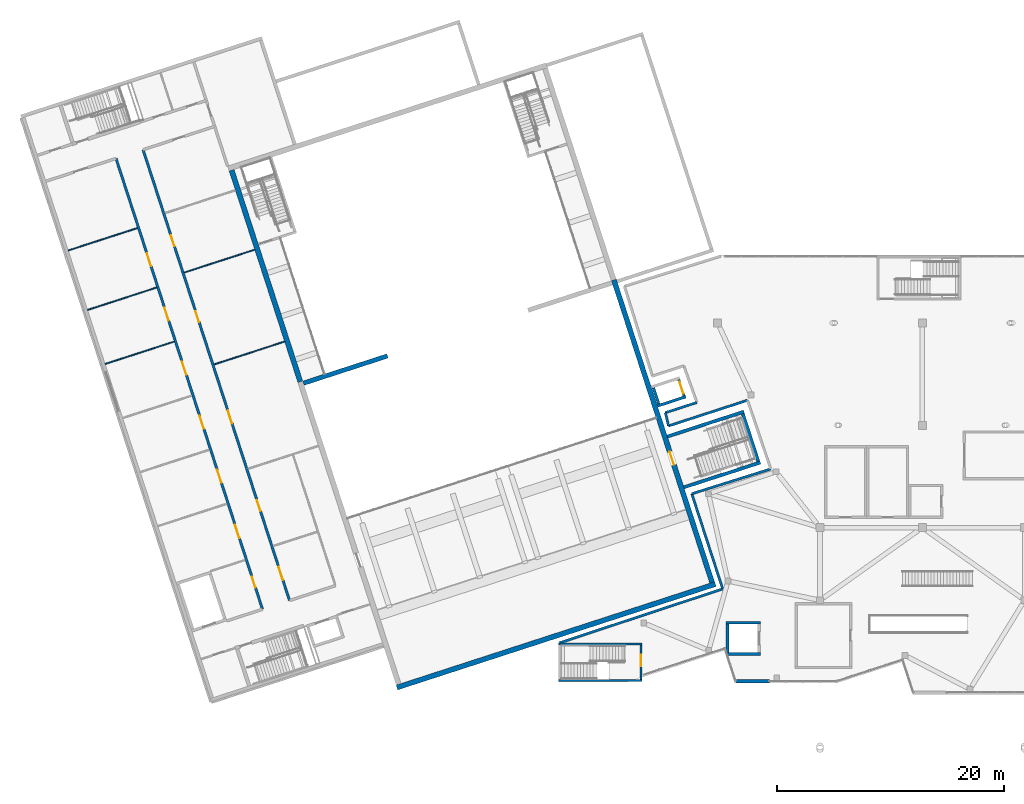
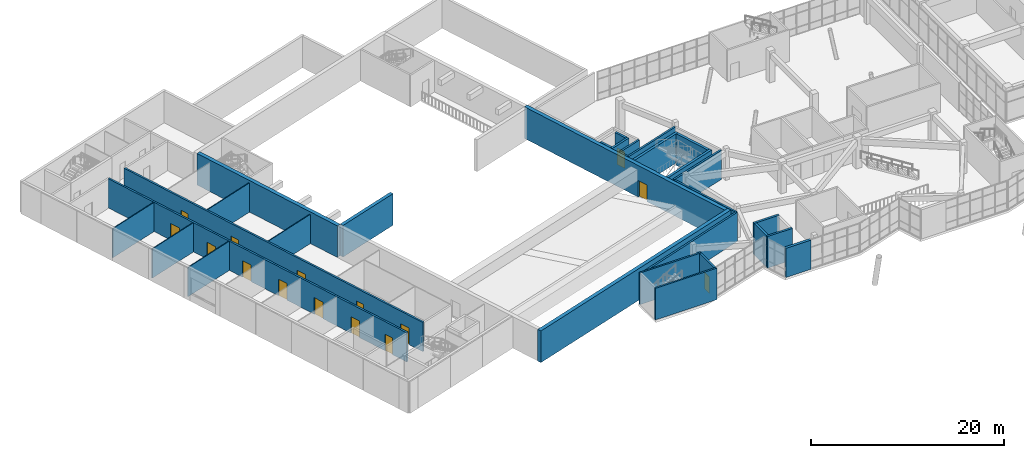
# One storey, part 53 of 66: 30 walls, 15 doors, 15 openings.
"""IFC4 building model written with IfcOpenShell, lengths in metres."""

from ifc_helpers import new_model, si_unit, direction, frame, frame_2d, origin, place, context, subcontext, project, spatial, rectangle, extrude, material, layer, layer_set, type_object, element, fill, save


model = new_model("IFC4")

# Units and contexts
model_context = context("Model", 3, precision=1e-05, world=origin(), true_north=direction((0.0, 1.0)))
body_context = subcontext(model_context, "Body", "Model", "MODEL_VIEW")
ifc_project = project(units=[si_unit("LENGTHUNIT", "METRE"), si_unit("AREAUNIT", "SQUARE_METRE"), si_unit("VOLUMEUNIT", "CUBIC_METRE"), si_unit("PLANEANGLEUNIT", "RADIAN"), si_unit("MASSUNIT", "GRAM", prefix="KILO")], contexts=[model_context])

# Site, building, storey
site_placement = place(None, origin())
site = spatial("IfcSite", under=ifc_project, at=site_placement, CompositionType="ELEMENT")
building_placement = place(site_placement, origin())
building = spatial("IfcBuilding", under=site, at=building_placement, Name="Tuart Plaza Theatre", CompositionType="ELEMENT")
storey_placement = place(building_placement, frame((0.0, 0.0, 5.5)))
storey = spatial("IfcBuildingStorey", under=building, at=storey_placement, Name="L01", CompositionType="ELEMENT", Elevation=5.5)

# Walls
ifc_material_1 = material(Name="Plasterboard on steel stud", Category="steel")
ifc_layer_1 = layer(ifc_material_1, 0.10009765625)
ifc_layer_set_1 = layer_set([ifc_layer_1], Name="PARTITION STD100")
wall_type_1 = type_object("IfcWallType", Name="PARTITION STD100", PredefinedType="PARTITIONING", material=ifc_layer_set_1)
wall_1_placement = place(storey_placement, frame((33.701416015625, 70.35107421875, 0.0), z_axis=(0.0, 0.0, 1.0), x_axis=(0.951058024796, 0.309012351648, 0.0)))
element("IfcWall", 1, at=wall_1_placement, inside=storey, type_object=wall_type_1, Name="P241", PredefinedType="PARTITIONING", context=body_context, shape_type="SweptSolid", body=[
    extrude(rectangle(XDim=6.514892578125, YDim=0.10009765625, at=frame_2d((3.25732421875, 0.0))), origin(), (0.0, 0.0, 1.0), 3.699951171875),
])
wall_2_placement = place(storey_placement, frame((24.110107421875, 70.38916015625, 0.0), z_axis=(0.0, 0.0, 1.0), x_axis=(0.951059053869, 0.309009184417, 0.0)))
element("IfcWall", 2, at=wall_2_placement, inside=storey, type_object=wall_type_1, Name="P242", PredefinedType="PARTITIONING", context=body_context, shape_type="SweptSolid", body=[
    extrude(rectangle(XDim=6.39013671875, YDim=0.10009765625, at=frame_2d((3.195068359375, 0.0))), origin(), (0.0, 0.0, 1.0), 3.699951171875),
])
wall_3_placement = place(storey_placement, frame((22.565185546875, 75.144287109375, 0.0), z_axis=(0.0, 0.0, 1.0), x_axis=(0.951055405517, 0.309020412977, 0.0)))
element("IfcWall", 3, at=wall_3_placement, inside=storey, type_object=wall_type_1, Name="P243", PredefinedType="PARTITIONING", context=body_context, shape_type="SweptSolid", body=[
    extrude(rectangle(XDim=6.389892578125, YDim=0.10009765625, at=frame_2d((3.19482421875, 0.0))), origin(), (0.0, 0.0, 1.0), 3.699951171875),
])
wall_4_placement = place(storey_placement, frame((31.07470703125, 78.43505859375, 0.0), z_axis=(0.0, 0.0, 1.0), x_axis=(0.951058024796, 0.309012351648, 0.0)))
element("IfcWall", 4, at=wall_4_placement, inside=storey, type_object=wall_type_1, Name="P244", PredefinedType="PARTITIONING", context=body_context, shape_type="SweptSolid", body=[
    extrude(rectangle(XDim=6.514892578125, YDim=0.10009765625, at=frame_2d((3.25732421875, 0.0))), origin(), (0.0, 0.0, 1.0), 3.699951171875),
])
wall_5_placement = place(storey_placement, frame((20.865478515625, 80.375244140625, 0.0), z_axis=(0.0, 0.0, 1.0), x_axis=(0.951055405517, 0.309020412977, 0.0)))
element("IfcWall", 5, at=wall_5_placement, inside=storey, type_object=wall_type_1, Name="P245", PredefinedType="PARTITIONING", context=body_context, shape_type="SweptSolid", body=[
    extrude(rectangle(XDim=6.389892578125, YDim=0.10009765625, at=frame_2d((3.19482421875, 0.0))), origin(), (0.0, 0.0, 1.0), 3.699951171875),
])
ifc_material_2 = material(Name="Concrete N40 (40 MPa)", Category="concrete")
ifc_layer_2 = layer(ifc_material_2, 0.199951171875)
ifc_layer_set_2 = layer_set([ifc_layer_2], Name="SHEAR WALL RC200 FRL 120/120/120")
wall_type_2 = type_object("IfcWallType", Name="SHEAR WALL RC200 FRL 120/120/120", PredefinedType="SHEAR", material=ifc_layer_set_2)
wall_6_placement = place(storey_placement, frame((71.35009765625, 45.75, 0.0), z_axis=(0.0, 0.0, 1.0), x_axis=(-1.0, 0.0, 0.0)))
element("IfcWall", 6, at=wall_6_placement, inside=storey, type_object=wall_type_2, Name="W251", PredefinedType="SHEAR", context=body_context, shape_type="SweptSolid", body=[
    extrude(rectangle(XDim=7.35009765625, YDim=0.199951171875, at=frame_2d((3.675048828125, 0.0))), origin(), (0.0, 0.0, 1.0), 4.0),
])

# Wall, opening, door
wall_7_placement = place(storey_placement, frame((71.25, 42.64990234375, 0.0), z_axis=(0.0, 0.0, 1.0), x_axis=(0.0, 1.0, 0.0)))
wall_7 = element("IfcWall", 7, at=wall_7_placement, inside=storey, type_object=wall_type_2, Name="W253", PredefinedType="SHEAR", context=body_context, shape_type="SweptSolid", body=[
    extrude(rectangle(XDim=3.0, YDim=0.199951171875, at=frame_2d((1.5, 0.0))), origin(), (0.0, 0.0, 1.0), 4.0),
])
opening_1_placement = place(wall_7_placement, frame((1.14990234375, 0.0, 0.0)))
opening_1 = element("IfcOpeningElement", 8, at=opening_1_placement, cuts=wall_7, Name="Opening L01-036", PredefinedType="OPENING", context=body_context, shape_type="SweptSolid", body=[
    extrude(rectangle(XDim=1.0, YDim=2.10009765625, at=frame_2d((0.5, 1.050048828125))), frame((0.0, 0.10986328125, 0.0), z_axis=(0.0, -1.0, 0.0), x_axis=(1.0, 0.0, 0.0)), (0.0, 0.0, 1.0), 0.219970703125),
])
ifc_material_3 = material(Name="Steel Grade 300", Category="steel")
door_type_1 = type_object("IfcDoorType", Name="DOOR 1000x2100 steel single swing FRL -/120/30", OperationType="SINGLE_SWING_LEFT", PredefinedType="DOOR", material=ifc_material_3)
door_1_placement = place(opening_1_placement, origin())
door_1 = element("IfcDoor", 9, at=door_1_placement, inside=storey, type_object=door_type_1, Name="L01-036", OperationType="SINGLE_SWING_LEFT", OverallHeight=2.10009765625, OverallWidth=1.0, PredefinedType="DOOR", context=body_context, shape_type="SweptSolid", body=[
    extrude(rectangle(XDim=1.0, YDim=2.10009765625, at=frame_2d((0.5, 1.050048828125))), frame((0.0, 0.02490234375, 0.0), z_axis=(0.0, -1.0, 0.0), x_axis=(1.0, 0.0, 0.0)), (0.0, 0.0, 1.0), 0.050048828125),
])
fill(opening_1, door_1)

# Walls
ifc_material_4 = material(Name="Concrete N40 (40 MPa)", Category="concrete")
ifc_layer_3 = layer(ifc_material_4, 0.199951171875)
ifc_layer_set_3 = layer_set([ifc_layer_3], Name="SHEAR WALL RC200 FRL 120/120/120 EXT")
wall_type_3 = type_object("IfcWallType", Name="SHEAR WALL RC200 FRL 120/120/120 EXT", PredefinedType="SHEAR", material=ifc_layer_set_3)
wall_8_placement = place(storey_placement, frame((64.0, 42.550048828125, 0.0), z_axis=(0.0, 0.0, 1.0), x_axis=(1.0, 0.0, 0.0)))
element("IfcWall", 10, at=wall_8_placement, inside=storey, type_object=wall_type_3, Name="W250", PredefinedType="SHEAR", context=body_context, shape_type="SweptSolid", body=[
    extrude(rectangle(XDim=7.35009765625, YDim=0.199951171875, at=frame_2d((3.675048828125, 0.0))), origin(), (0.0, 0.0, 1.0), 4.0),
])
ifc_material_5 = material(Name="Concrete N40 (40 MPa)", Category="concrete")
ifc_layer_4 = layer(ifc_material_5, 0.25)
ifc_layer_set_4 = layer_set([ifc_layer_4], Name="SHEAR WALL RC250 FRL 120/120/120")
wall_type_4 = type_object("IfcWallType", Name="SHEAR WALL RC250 FRL 120/120/120", PredefinedType="SHEAR", material=ifc_layer_set_4)
wall_9_placement = place(storey_placement, frame((72.727294921875, 66.70751953125, 0.0), z_axis=(0.0, 0.0, 1.0), x_axis=(0.951087187149, 0.308922583248, 0.0)))
element("IfcWall", 11, at=wall_9_placement, inside=storey, type_object=wall_type_4, Name="W232", PredefinedType="SHEAR", context=body_context, shape_type="SweptSolid", body=[
    extrude(rectangle(XDim=2.60009765625, YDim=0.25, at=frame_2d((1.300048828125, 0.0))), origin(), (0.0, 0.0, 1.0), 4.0),
])

# Wall, opening, door
wall_10_placement = place(storey_placement, frame((75.04248046875, 67.591064453125, 0.0), z_axis=(0.0, 0.0, 1.0), x_axis=(-0.308942527062, 0.951080708969, 0.0)))
wall_10 = element("IfcWall", 12, at=wall_10_placement, inside=storey, type_object=wall_type_4, Name="W233", PredefinedType="SHEAR", context=body_context, shape_type="SweptSolid", body=[
    extrude(rectangle(XDim=1.5, YDim=0.25, at=frame_2d((0.75, 0.0))), origin(), (0.0, 0.0, 1.0), 4.0),
])
opening_2_placement = place(wall_10_placement, frame((0.199951171875, 0.0, 0.0)))
opening_2 = element("IfcOpeningElement", 13, at=opening_2_placement, cuts=wall_10, Name="Opening L01-003", PredefinedType="OPENING", context=body_context, shape_type="SweptSolid", body=[
    extrude(rectangle(XDim=1.10009765625, YDim=2.10009765625, at=frame_2d((0.550048828125, 1.050048828125))), frame((0.0, 0.135009765625, 0.0), z_axis=(0.0, -1.0, 0.0), x_axis=(1.0, 0.0, 0.0)), (0.0, 0.0, 1.0), 0.27001953125),
])
ifc_material_6 = material(Name="Steel Grade 300", Category="steel")
door_type_2 = type_object("IfcDoorType", Name="LANDING DOOR 1100x2100 steel sliding FRL -/120/30", OperationType="SLIDING_TO_LEFT", PredefinedType="DOOR", material=ifc_material_6)
door_2_placement = place(opening_2_placement, origin())
door_2 = element("IfcDoor", 14, at=door_2_placement, inside=storey, type_object=door_type_2, Name="L01-003", OperationType="SLIDING_TO_LEFT", OverallHeight=2.10009765625, OverallWidth=1.10009765625, PredefinedType="DOOR", context=body_context, shape_type="SweptSolid", body=[
    extrude(rectangle(XDim=1.10009765625, YDim=2.10009765625, at=frame_2d((0.550048828125, 1.050048828125))), frame((0.0, 0.02490234375, 0.0), z_axis=(0.0, -1.0, 0.0), x_axis=(1.0, 0.0, 0.0)), (0.0, 0.0, 1.0), 0.050048828125),
])
fill(opening_2, door_2)

# Walls
wall_11_placement = place(storey_placement, frame((72.343994140625, 68.29150390625, 0.0), z_axis=(0.0, 0.0, 1.0), x_axis=(0.309089752708, -0.951032872603, 0.0)))
element("IfcWall", 15, at=wall_11_placement, inside=storey, type_object=wall_type_4, Name="W235", PredefinedType="SHEAR", context=body_context, shape_type="SweptSolid", body=[
    extrude(rectangle(XDim=1.5, YDim=0.25, at=frame_2d((0.75, 0.0))), origin(), (0.0, 0.0, 1.0), 4.0),
])
for number, where, z_axis, x_axis, name in (
    (16, (78.75, 44.875, 0.0), (0.0, 0.0, 1.0), (1.0, 0.0, 0.0), "W279"),
    (17, (81.75, 47.625, 0.0), (0.0, 0.0, 1.0), (-1.0, 0.0, 0.0), "W281"),
):
    element("IfcWall", number, at=place(storey_placement, frame(where, z_axis=z_axis, x_axis=x_axis)), inside=storey, type_object=wall_type_4, Name=name, PredefinedType="SHEAR", context=body_context, shape_type="SweptSolid", body=[
        extrude(rectangle(XDim=3.0, YDim=0.25, at=frame_2d((1.5, 0.0))), origin(), (0.0, 0.0, 1.0), 4.0),
    ])
wall_12_placement = place(storey_placement, frame((78.875, 47.5, 0.0), z_axis=(0.0, 0.0, 1.0), x_axis=(0.0, -1.0, 0.0)))
element("IfcWall", 18, at=wall_12_placement, inside=storey, type_object=wall_type_4, Name="W282", PredefinedType="SHEAR", context=body_context, shape_type="SweptSolid", body=[
    extrude(rectangle(XDim=2.5, YDim=0.25, at=frame_2d((1.25, 0.0))), origin(), (0.0, 0.0, 1.0), 4.0),
])
ifc_material_7 = material(Name="Concrete N50 (50 MPa)", Category="concrete")
ifc_layer_5 = layer(ifc_material_7, 0.39990234375)
ifc_layer_set_5 = layer_set([ifc_layer_5], Name="SHEAR WALL RC400 N50 FRL 120/120/120")
wall_type_5 = type_object("IfcWallType", Name="SHEAR WALL RC400 N50 FRL 120/120/120", PredefinedType="SHEAR", material=ifc_layer_set_5)
wall_13_placement = place(storey_placement, frame((41.5615234375, 68.69921875, 0.0), z_axis=(0.0, 0.0, 1.0), x_axis=(0.95105806443, 0.309012229664, 0.0)))
element("IfcWall", 19, at=wall_13_placement, inside=storey, type_object=wall_type_5, Name="W52", PredefinedType="SHEAR", context=body_context, shape_type="SweptSolid", body=[
    extrude(rectangle(XDim=7.775146484375, YDim=0.39990234375, at=frame_2d((3.8876953125, 0.0))), origin(), (0.0, 0.0, 1.0), 4.0),
])
ifc_material_8 = material(Name="Concrete N50 (50 MPa)", Category="concrete")
ifc_layer_6 = layer(ifc_material_8, 0.449951171875)
ifc_layer_set_6 = layer_set([ifc_layer_6], Name="SHEAR WALL RC450 N50 FRL 120/120/120")
wall_type_6 = type_object("IfcWallType", Name="SHEAR WALL RC450 N50 FRL 120/120/120", PredefinedType="SHEAR", material=ifc_layer_set_6)
wall_14_placement = place(storey_placement, frame((49.7861328125, 41.930419921875, 0.0), z_axis=(0.0, 0.0, 1.0), x_axis=(0.951055937194, 0.309018776661, 0.0)))
element("IfcWall", 20, at=wall_14_placement, inside=storey, type_object=wall_type_6, Name="W27", PredefinedType="SHEAR", context=body_context, shape_type="SweptSolid", body=[
    extrude(rectangle(XDim=29.449951171875, YDim=0.449951171875, at=frame_2d((14.72509765625, 0.0))), origin(), (0.0, 0.0, 1.0), 4.0),
])

# Wall, opening, door
wall_15_placement = place(storey_placement, frame((77.51123046875, 51.175537109375, 0.0), z_axis=(0.0, 0.0, 1.0), x_axis=(-0.309018780445, 0.951055935964, 0.0)))
wall_15 = element("IfcWall", 21, at=wall_15_placement, inside=storey, type_object=wall_type_6, Name="W29", PredefinedType="SHEAR", context=body_context, shape_type="SweptSolid", body=[
    extrude(rectangle(XDim=27.974853515625, YDim=0.449951171875, at=frame_2d((13.9873046875, 0.0))), origin(), (0.0, 0.0, 1.0), 4.0),
])
opening_3_placement = place(wall_15_placement, frame((10.875, 0.0, 0.0)))
opening_3 = element("IfcOpeningElement", 22, at=opening_3_placement, cuts=wall_15, Name="Opening L01-027", PredefinedType="OPENING", context=body_context, shape_type="SweptSolid", body=[
    extrude(rectangle(XDim=1.199951171875, YDim=2.10009765625, at=frame_2d((0.60009765625, 1.050048828125))), frame((0.0, 0.23486328125, 0.0), z_axis=(0.0, -1.0, 0.0), x_axis=(1.0, 0.0, 0.0)), (0.0, 0.0, 1.0), 0.469970703125),
])
ifc_material_9 = material(Name="Timber", Category="wood")
door_type_3 = type_object("IfcDoorType", Name="DOOR 1200x2100 timber single swing FRL -/120/30", OperationType="SINGLE_SWING_LEFT", PredefinedType="DOOR", material=ifc_material_9)
door_3_placement = place(opening_3_placement, frame((1.199951171875, 0.0, 0.0), z_axis=(0.0, 0.0, 1.0), x_axis=(-1.0, 0.0, 0.0)))
door_3 = element("IfcDoor", 23, at=door_3_placement, inside=storey, type_object=door_type_3, Name="L01-027", OperationType="SINGLE_SWING_LEFT", OverallHeight=2.10009765625, OverallWidth=1.199951171875, PredefinedType="DOOR", context=body_context, shape_type="SweptSolid", body=[
    extrude(rectangle(XDim=1.199951171875, YDim=2.10009765625, at=frame_2d((0.60009765625, 1.050048828125))), frame((0.0, 0.02490234375, 0.0), z_axis=(0.0, -1.0, 0.0), x_axis=(1.0, 0.0, 0.0)), (0.0, 0.0, 1.0), 0.050048828125),
])
fill(opening_3, door_3)

# Walls
wall_16_placement = place(storey_placement, frame((41.28564453125, 68.81982421875, 0.0), z_axis=(0.0, 0.0, 1.0), x_axis=(-0.309008517326, 0.951059270613, 0.0)))
element("IfcWall", 24, at=wall_16_placement, inside=storey, type_object=wall_type_6, Name="W44", PredefinedType="SHEAR", context=body_context, shape_type="SweptSolid", body=[
    extrude(rectangle(XDim=19.574951171875, YDim=0.449951171875, at=frame_2d((9.78759765625, 0.0))), origin(), (0.0, 0.0, 1.0), 4.0),
])
ifc_material_10 = material(Name="Concrete N40 (40 MPa)", Category="concrete")
ifc_layer_7 = layer(ifc_material_10, 0.219970703125)
ifc_layer_set_7 = layer_set([ifc_layer_7], Name="WALL RC220 FRL 120/120/120")
wall_type_7 = type_object("IfcWallType", Name="WALL RC220 FRL 120/120/120", PredefinedType="SOLIDWALL", material=ifc_layer_set_7)
wall_17_placement = place(storey_placement, frame((64.080810546875, 45.859130859375, 0.0), z_axis=(0.0, 0.0, 1.0), x_axis=(0.949388338269, 0.314104732786, 0.0)))
element("IfcWall", 25, at=wall_17_placement, inside=storey, type_object=wall_type_7, Name="P39", PredefinedType="SOLIDWALL", context=body_context, shape_type="SweptSolid", body=[
    extrude(rectangle(XDim=15.1162109375, YDim=0.219970703125, at=frame_2d((7.55810546875, 0.0))), origin(), (0.0, 0.0, 1.0), 3.699951171875),
])
wall_18_placement = place(storey_placement, frame((78.431884765625, 50.607177734375, 0.0), z_axis=(0.0, 0.0, 1.0), x_axis=(-0.309027731765, 0.951053027439, 0.0)))
element("IfcWall", 26, at=wall_18_placement, inside=storey, type_object=wall_type_7, Name="P40", PredefinedType="SOLIDWALL", context=body_context, shape_type="SweptSolid", body=[
    extrude(rectangle(XDim=8.800048828125, YDim=0.219970703125, at=frame_2d((4.39990234375, 0.0))), origin(), (0.0, 0.0, 1.0), 3.699951171875),
])
wall_19_placement = place(storey_placement, frame((75.71240234375, 58.9765625, 0.0), z_axis=(0.0, 0.0, 1.0), x_axis=(0.954020604523, 0.299741031802, 0.0)))
element("IfcWall", 27, at=wall_19_placement, inside=storey, type_object=wall_type_7, Name="P41", PredefinedType="SOLIDWALL", context=body_context, shape_type="SweptSolid", body=[
    extrude(rectangle(XDim=7.27099609375, YDim=0.219970703125, at=frame_2d((3.635498046875, 0.0))), origin(), (0.0, 0.0, 1.0), 3.699951171875),
])
wall_20_placement = place(storey_placement, frame((80.61328125, 67.193115234375, 0.0), z_axis=(0.0, 0.0, 1.0), x_axis=(-0.951057168147, -0.309014988174, 0.0)))
element("IfcWall", 28, at=wall_20_placement, inside=storey, type_object=wall_type_7, Name="P43", PredefinedType="SOLIDWALL", context=body_context, shape_type="SweptSolid", body=[
    extrude(rectangle(XDim=7.300048828125, YDim=0.219970703125, at=frame_2d((3.64990234375, 0.0))), origin(), (0.0, 0.0, 1.0), 3.699951171875),
])
wall_21_placement = place(storey_placement, frame((73.67041015625, 64.937255859375, 0.0), z_axis=(0.0, 0.0, 1.0), x_axis=(-0.228915017266, 0.973446410888, 0.0)))
element("IfcWall", 29, at=wall_21_placement, inside=storey, type_object=wall_type_7, Name="P44", PredefinedType="SOLIDWALL", context=body_context, shape_type="SweptSolid", body=[
    extrude(rectangle(XDim=1.2041015625, YDim=0.219970703125, at=frame_2d((0.60205078125, 0.0))), origin(), (0.0, 0.0, 1.0), 3.699951171875),
])
wall_22_placement = place(storey_placement, frame((73.394775390625, 66.109375, 0.0), z_axis=(0.0, 0.0, 1.0), x_axis=(0.951047059821, 0.309046096893, 0.0)))
element("IfcWall", 30, at=wall_22_placement, inside=storey, type_object=wall_type_7, Name="P45", PredefinedType="SOLIDWALL", context=body_context, shape_type="SweptSolid", body=[
    extrude(rectangle(XDim=2.89990234375, YDim=0.219970703125, at=frame_2d((1.449951171875, 0.0))), origin(), (0.0, 0.0, 1.0), 3.699951171875),
])

# Wall, openings, doors
ifc_material_11 = material(Name="Concrete N40 (40 MPa)", Category="concrete")
ifc_layer_8 = layer(ifc_material_11, 0.219970703125)
ifc_layer_set_8 = layer_set([ifc_layer_8], Name="WALL RC220 LB FRL 120/120/120")
wall_type_8 = type_object("IfcWallType", Name="WALL RC220 LB FRL 120/120/120", PredefinedType="SOLIDWALL", material=ifc_layer_set_8)
wall_23_placement = place(storey_placement, frame((37.95556640625, 48.8115234375, 0.0), z_axis=(0.0, 0.0, 1.0), x_axis=(-0.30901736393, 0.951056396219, 0.0)))
wall_23 = element("IfcWall", 31, at=wall_23_placement, inside=storey, type_object=wall_type_8, Name="W512", PredefinedType="SOLIDWALL", context=body_context, shape_type="SweptSolid", body=[
    extrude(rectangle(XDim=41.699951171875, YDim=0.219970703125, at=frame_2d((20.85009765625, 0.0))), origin(), (0.0, 0.0, 1.0), 3.699951171875),
])
opening_4_placement = place(wall_23_placement, frame((2.009033203125, 0.0, 0.0)))
opening_4 = element("IfcOpeningElement", 32, at=opening_4_placement, cuts=wall_23, Name="Opening L01-011", PredefinedType="OPENING", context=body_context, shape_type="SweptSolid", body=[
    extrude(rectangle(XDim=1.0, YDim=2.10009765625, at=frame_2d((0.5, 1.050048828125))), frame((0.0, 0.119873046875, 0.0), z_axis=(0.0, -1.0, 0.0), x_axis=(1.0, 0.0, 0.0)), (0.0, 0.0, 1.0), 0.239990234375),
])
opening_5_placement = place(wall_23_placement, frame((6.60009765625, 0.0, 0.0)))
opening_5 = element("IfcOpeningElement", 33, at=opening_5_placement, cuts=wall_23, Name="Opening L01-012", PredefinedType="OPENING", context=body_context, shape_type="SweptSolid", body=[
    extrude(rectangle(XDim=1.199951171875, YDim=2.10009765625, at=frame_2d((0.60009765625, 1.050048828125))), frame((0.0, 0.119873046875, 0.0), z_axis=(0.0, -1.0, 0.0), x_axis=(1.0, 0.0, 0.0)), (0.0, 0.0, 1.0), 0.239990234375),
])
opening_6_placement = place(wall_23_placement, frame((11.699951171875, 0.0, 0.0)))
opening_6 = element("IfcOpeningElement", 34, at=opening_6_placement, cuts=wall_23, Name="Opening L01-013", PredefinedType="OPENING", context=body_context, shape_type="SweptSolid", body=[
    extrude(rectangle(XDim=1.199951171875, YDim=2.10009765625, at=frame_2d((0.60009765625, 1.050048828125))), frame((0.0, 0.119873046875, 0.0), z_axis=(0.0, -1.0, 0.0), x_axis=(1.0, 0.0, 0.0)), (0.0, 0.0, 1.0), 0.239990234375),
])
opening_7_placement = place(wall_23_placement, frame((16.699951171875, 0.0, 0.0)))
opening_7 = element("IfcOpeningElement", 35, at=opening_7_placement, cuts=wall_23, Name="Opening L01-014", PredefinedType="OPENING", context=body_context, shape_type="SweptSolid", body=[
    extrude(rectangle(XDim=1.199951171875, YDim=2.10009765625, at=frame_2d((0.60009765625, 1.050048828125))), frame((0.0, 0.119873046875, 0.0), z_axis=(0.0, -1.0, 0.0), x_axis=(1.0, 0.0, 0.0)), (0.0, 0.0, 1.0), 0.239990234375),
])
opening_8_placement = place(wall_23_placement, frame((21.699951171875, 0.0, 0.0)))
opening_8 = element("IfcOpeningElement", 36, at=opening_8_placement, cuts=wall_23, Name="Opening L01-015", PredefinedType="OPENING", context=body_context, shape_type="SweptSolid", body=[
    extrude(rectangle(XDim=1.199951171875, YDim=2.10009765625, at=frame_2d((0.60009765625, 1.050048828125))), frame((0.0, 0.119873046875, 0.0), z_axis=(0.0, -1.0, 0.0), x_axis=(1.0, 0.0, 0.0)), (0.0, 0.0, 1.0), 0.239990234375),
])
opening_9_placement = place(wall_23_placement, frame((26.699951171875, 0.0, 0.0)))
opening_9 = element("IfcOpeningElement", 37, at=opening_9_placement, cuts=wall_23, Name="Opening L01-016", PredefinedType="OPENING", context=body_context, shape_type="SweptSolid", body=[
    extrude(rectangle(XDim=1.199951171875, YDim=2.10009765625, at=frame_2d((0.60009765625, 1.050048828125))), frame((0.0, 0.119873046875, 0.0), z_axis=(0.0, -1.0, 0.0), x_axis=(1.0, 0.0, 0.0)), (0.0, 0.0, 1.0), 0.239990234375),
])
opening_10_placement = place(wall_23_placement, frame((31.738525390625, 0.0, 0.0)))
opening_10 = element("IfcOpeningElement", 38, at=opening_10_placement, cuts=wall_23, Name="Opening L01-017", PredefinedType="OPENING", context=body_context, shape_type="SweptSolid", body=[
    extrude(rectangle(XDim=1.199951171875, YDim=2.10009765625, at=frame_2d((0.60009765625, 1.050048828125))), frame((0.0, 0.119873046875, 0.0), z_axis=(0.0, -1.0, 0.0), x_axis=(1.0, 0.0, 0.0)), (0.0, 0.0, 1.0), 0.239990234375),
])
ifc_material_12 = material(Name="Timber", Category="wood")
door_type_4 = type_object("IfcDoorType", Name="DOOR 1000x2100 timber single swing FRL -/120/30", OperationType="SINGLE_SWING_LEFT", PredefinedType="DOOR", material=ifc_material_12)
door_4_placement = place(opening_4_placement, origin())
door_4 = element("IfcDoor", 39, at=door_4_placement, inside=storey, type_object=door_type_4, Name="L01-011", OperationType="SINGLE_SWING_LEFT", OverallHeight=2.10009765625, OverallWidth=1.0, PredefinedType="DOOR", context=body_context, shape_type="SweptSolid", body=[
    extrude(rectangle(XDim=1.0, YDim=2.10009765625, at=frame_2d((0.5, 1.050048828125))), frame((0.0, 0.02490234375, 0.0), z_axis=(0.0, -1.0, 0.0), x_axis=(1.0, 0.0, 0.0)), (0.0, 0.0, 1.0), 0.050048828125),
])
fill(opening_4, door_4)
door_5_placement = place(opening_5_placement, origin())
door_5 = element("IfcDoor", 40, at=door_5_placement, inside=storey, type_object=door_type_3, Name="L01-012", OperationType="SINGLE_SWING_RIGHT", OverallHeight=2.10009765625, OverallWidth=1.199951171875, PredefinedType="DOOR", context=body_context, shape_type="SweptSolid", body=[
    extrude(rectangle(XDim=1.199951171875, YDim=2.10009765625, at=frame_2d((0.60009765625, 1.050048828125))), frame((0.0, 0.02490234375, 0.0), z_axis=(0.0, -1.0, 0.0), x_axis=(1.0, 0.0, 0.0)), (0.0, 0.0, 1.0), 0.050048828125),
])
fill(opening_5, door_5)
door_6_placement = place(opening_6_placement, origin())
door_6 = element("IfcDoor", 41, at=door_6_placement, inside=storey, type_object=door_type_3, Name="L01-013", OperationType="SINGLE_SWING_RIGHT", OverallHeight=2.10009765625, OverallWidth=1.199951171875, PredefinedType="DOOR", context=body_context, shape_type="SweptSolid", body=[
    extrude(rectangle(XDim=1.199951171875, YDim=2.10009765625, at=frame_2d((0.60009765625, 1.050048828125))), frame((0.0, 0.02490234375, 0.0), z_axis=(0.0, -1.0, 0.0), x_axis=(1.0, 0.0, 0.0)), (0.0, 0.0, 1.0), 0.050048828125),
])
fill(opening_6, door_6)
door_7_placement = place(opening_7_placement, origin())
door_7 = element("IfcDoor", 42, at=door_7_placement, inside=storey, type_object=door_type_3, Name="L01-014", OperationType="SINGLE_SWING_RIGHT", OverallHeight=2.10009765625, OverallWidth=1.199951171875, PredefinedType="DOOR", context=body_context, shape_type="SweptSolid", body=[
    extrude(rectangle(XDim=1.199951171875, YDim=2.10009765625, at=frame_2d((0.60009765625, 1.050048828125))), frame((0.0, 0.02490234375, 0.0), z_axis=(0.0, -1.0, 0.0), x_axis=(1.0, 0.0, 0.0)), (0.0, 0.0, 1.0), 0.050048828125),
])
fill(opening_7, door_7)
door_8_placement = place(opening_8_placement, origin())
door_8 = element("IfcDoor", 43, at=door_8_placement, inside=storey, type_object=door_type_3, Name="L01-015", OperationType="SINGLE_SWING_LEFT", OverallHeight=2.10009765625, OverallWidth=1.199951171875, PredefinedType="DOOR", context=body_context, shape_type="SweptSolid", body=[
    extrude(rectangle(XDim=1.199951171875, YDim=2.10009765625, at=frame_2d((0.60009765625, 1.050048828125))), frame((0.0, 0.02490234375, 0.0), z_axis=(0.0, -1.0, 0.0), x_axis=(1.0, 0.0, 0.0)), (0.0, 0.0, 1.0), 0.050048828125),
])
fill(opening_8, door_8)
door_9_placement = place(opening_9_placement, origin())
door_9 = element("IfcDoor", 44, at=door_9_placement, inside=storey, type_object=door_type_3, Name="L01-016", OperationType="SINGLE_SWING_LEFT", OverallHeight=2.10009765625, OverallWidth=1.199951171875, PredefinedType="DOOR", context=body_context, shape_type="SweptSolid", body=[
    extrude(rectangle(XDim=1.199951171875, YDim=2.10009765625, at=frame_2d((0.60009765625, 1.050048828125))), frame((0.0, 0.02490234375, 0.0), z_axis=(0.0, -1.0, 0.0), x_axis=(1.0, 0.0, 0.0)), (0.0, 0.0, 1.0), 0.050048828125),
])
fill(opening_9, door_9)
door_10_placement = place(opening_10_placement, origin())
door_10 = element("IfcDoor", 45, at=door_10_placement, inside=storey, type_object=door_type_3, Name="L01-017", OperationType="SINGLE_SWING_LEFT", OverallHeight=2.10009765625, OverallWidth=1.199951171875, PredefinedType="DOOR", context=body_context, shape_type="SweptSolid", body=[
    extrude(rectangle(XDim=1.199951171875, YDim=2.10009765625, at=frame_2d((0.60009765625, 1.050048828125))), frame((0.0, 0.02490234375, 0.0), z_axis=(0.0, -1.0, 0.0), x_axis=(1.0, 0.0, 0.0)), (0.0, 0.0, 1.0), 0.050048828125),
])
fill(opening_10, door_10)

wall_24_placement = place(storey_placement, frame((40.333251953125, 49.583984375, 0.0), z_axis=(0.0, 0.0, 1.0), x_axis=(-0.309015643281, 0.951056955291, 0.0)))
wall_24 = element("IfcWall", 46, at=wall_24_placement, inside=storey, type_object=wall_type_8, Name="W513", PredefinedType="SOLIDWALL", context=body_context, shape_type="SweptSolid", body=[
    extrude(rectangle(XDim=41.7001953125, YDim=0.219970703125, at=frame_2d((20.85009765625, 0.0))), origin(), (0.0, 0.0, 1.0), 3.699951171875),
])
opening_11_placement = place(wall_24_placement, frame((1.89990234375, 0.0, 0.0)))
opening_11 = element("IfcOpeningElement", 47, at=opening_11_placement, cuts=wall_24, Name="Opening L01-019", PredefinedType="OPENING", context=body_context, shape_type="SweptSolid", body=[
    extrude(rectangle(XDim=1.199951171875, YDim=2.10009765625, at=frame_2d((0.60009765625, 1.050048828125))), frame((0.0, 0.119873046875, 0.0), z_axis=(0.0, -1.0, 0.0), x_axis=(1.0, 0.0, 0.0)), (0.0, 0.0, 1.0), 0.239990234375),
])
opening_12_placement = place(wall_24_placement, frame((8.285400390625, 0.0, 0.0)))
opening_12 = element("IfcOpeningElement", 48, at=opening_12_placement, cuts=wall_24, Name="Opening L01-020", PredefinedType="OPENING", context=body_context, shape_type="SweptSolid", body=[
    extrude(rectangle(XDim=1.0, YDim=2.10009765625, at=frame_2d((0.5, 1.050048828125))), frame((0.0, 0.119873046875, 0.0), z_axis=(0.0, -1.0, 0.0), x_axis=(1.0, 0.0, 0.0)), (0.0, 0.0, 1.0), 0.239990234375),
])
opening_13_placement = place(wall_24_placement, frame((16.375, 0.0, 0.0)))
opening_13 = element("IfcOpeningElement", 49, at=opening_13_placement, cuts=wall_24, Name="Opening L01-021", PredefinedType="OPENING", context=body_context, shape_type="SweptSolid", body=[
    extrude(rectangle(XDim=1.199951171875, YDim=2.10009765625, at=frame_2d((0.60009765625, 1.050048828125))), frame((0.0, 0.119873046875, 0.0), z_axis=(0.0, -1.0, 0.0), x_axis=(1.0, 0.0, 0.0)), (0.0, 0.0, 1.0), 0.239990234375),
])
opening_14_placement = place(wall_24_placement, frame((25.75244140625, 0.0, 0.0)))
opening_14 = element("IfcOpeningElement", 50, at=opening_14_placement, cuts=wall_24, Name="Opening L01-022", PredefinedType="OPENING", context=body_context, shape_type="SweptSolid", body=[
    extrude(rectangle(XDim=1.0, YDim=2.10009765625, at=frame_2d((0.5, 1.050048828125))), frame((0.0, 0.119873046875, 0.0), z_axis=(0.0, -1.0, 0.0), x_axis=(1.0, 0.0, 0.0)), (0.0, 0.0, 1.0), 0.239990234375),
])
opening_15_placement = place(wall_24_placement, frame((32.761474609375, 0.0, 0.0)))
opening_15 = element("IfcOpeningElement", 51, at=opening_15_placement, cuts=wall_24, Name="Opening L01-023", PredefinedType="OPENING", context=body_context, shape_type="SweptSolid", body=[
    extrude(rectangle(XDim=1.0, YDim=2.10009765625, at=frame_2d((0.5, 1.050048828125))), frame((0.0, 0.119873046875, 0.0), z_axis=(0.0, -1.0, 0.0), x_axis=(1.0, 0.0, 0.0)), (0.0, 0.0, 1.0), 0.239990234375),
])
door_11_placement = place(opening_12_placement, frame((1.0, 0.0, 0.0), z_axis=(0.0, 0.0, 1.0), x_axis=(-1.0, 0.0, 0.0)))
door_11 = element("IfcDoor", 52, at=door_11_placement, inside=storey, type_object=door_type_4, Name="L01-020", OperationType="SINGLE_SWING_LEFT", OverallHeight=2.10009765625, OverallWidth=1.0, PredefinedType="DOOR", context=body_context, shape_type="SweptSolid", body=[
    extrude(rectangle(XDim=1.0, YDim=2.10009765625, at=frame_2d((0.5, 1.050048828125))), frame((0.0, 0.02490234375, 0.0), z_axis=(0.0, -1.0, 0.0), x_axis=(1.0, 0.0, 0.0)), (0.0, 0.0, 1.0), 0.050048828125),
])
fill(opening_12, door_11)
door_12_placement = place(opening_14_placement, frame((1.0, 0.0, 0.0), z_axis=(0.0, 0.0, 1.0), x_axis=(-1.0, 0.0, 0.0)))
door_12 = element("IfcDoor", 53, at=door_12_placement, inside=storey, type_object=door_type_4, Name="L01-022", OperationType="SINGLE_SWING_RIGHT", OverallHeight=2.10009765625, OverallWidth=1.0, PredefinedType="DOOR", context=body_context, shape_type="SweptSolid", body=[
    extrude(rectangle(XDim=1.0, YDim=2.10009765625, at=frame_2d((0.5, 1.050048828125))), frame((0.0, 0.02490234375, 0.0), z_axis=(0.0, -1.0, 0.0), x_axis=(1.0, 0.0, 0.0)), (0.0, 0.0, 1.0), 0.050048828125),
])
fill(opening_14, door_12)
door_13_placement = place(opening_15_placement, frame((1.0, 0.0, 0.0), z_axis=(0.0, 0.0, 1.0), x_axis=(-1.0, 0.0, 0.0)))
door_13 = element("IfcDoor", 54, at=door_13_placement, inside=storey, type_object=door_type_4, Name="L01-023", OperationType="SINGLE_SWING_LEFT", OverallHeight=2.10009765625, OverallWidth=1.0, PredefinedType="DOOR", context=body_context, shape_type="SweptSolid", body=[
    extrude(rectangle(XDim=1.0, YDim=2.10009765625, at=frame_2d((0.5, 1.050048828125))), frame((0.0, 0.02490234375, 0.0), z_axis=(0.0, -1.0, 0.0), x_axis=(1.0, 0.0, 0.0)), (0.0, 0.0, 1.0), 0.050048828125),
])
fill(opening_15, door_13)
door_14_placement = place(opening_11_placement, frame((1.199951171875, 0.0, 0.0), z_axis=(0.0, 0.0, 1.0), x_axis=(-1.0, 0.0, 0.0)))
door_14 = element("IfcDoor", 55, at=door_14_placement, inside=storey, type_object=door_type_3, Name="L01-019", OperationType="SINGLE_SWING_LEFT", OverallHeight=2.10009765625, OverallWidth=1.199951171875, PredefinedType="DOOR", context=body_context, shape_type="SweptSolid", body=[
    extrude(rectangle(XDim=1.199951171875, YDim=2.10009765625, at=frame_2d((0.60009765625, 1.050048828125))), frame((0.0, 0.02490234375, 0.0), z_axis=(0.0, -1.0, 0.0), x_axis=(1.0, 0.0, 0.0)), (0.0, 0.0, 1.0), 0.050048828125),
])
fill(opening_11, door_14)
door_15_placement = place(opening_13_placement, frame((1.199951171875, 0.0, 0.0), z_axis=(0.0, 0.0, 1.0), x_axis=(-1.0, 0.0, 0.0)))
door_15 = element("IfcDoor", 56, at=door_15_placement, inside=storey, type_object=door_type_3, Name="L01-021", OperationType="SINGLE_SWING_LEFT", OverallHeight=2.10009765625, OverallWidth=1.199951171875, PredefinedType="DOOR", context=body_context, shape_type="SweptSolid", body=[
    extrude(rectangle(XDim=1.199951171875, YDim=2.10009765625, at=frame_2d((0.60009765625, 1.050048828125))), frame((0.0, 0.02490234375, 0.0), z_axis=(0.0, -1.0, 0.0), x_axis=(1.0, 0.0, 0.0)), (0.0, 0.0, 1.0), 0.050048828125),
])
fill(opening_13, door_15)

# Walls
ifc_material_13 = material(Name="Concrete N40 (40 MPa)", Category="concrete")
ifc_layer_9 = layer(ifc_material_13, 0.300048828125)
ifc_layer_set_9 = layer_set([ifc_layer_9], Name="WALL RC300 EXT")
wall_type_9 = type_object("IfcWallType", Name="WALL RC300 EXT", PredefinedType="SOLIDWALL", material=ifc_layer_set_9)
wall_25_placement = place(storey_placement, frame((79.595947265625, 42.47802734375, 0.0), z_axis=(0.0, 0.0, 1.0), x_axis=(1.0, 0.0, 0.0)))
element("IfcWall", 57, at=wall_25_placement, inside=storey, type_object=wall_type_9, Name="P36", PredefinedType="SOLIDWALL", context=body_context, shape_type="SweptSolid", body=[
    extrude(rectangle(XDim=2.941162109375, YDim=0.300048828125, at=frame_2d((1.470703125, 0.0))), origin(), (0.0, 0.0, 1.0), 3.699951171875),
])
ifc_material_14 = material(Name="Concrete N40 (40 MPa)", Category="concrete")
ifc_layer_10 = layer(ifc_material_14, 0.300048828125)
ifc_layer_set_10 = layer_set([ifc_layer_10], Name="WALL RC300 LB FRL 120/120/120")
wall_type_10 = type_object("IfcWallType", Name="WALL RC300 LB FRL 120/120/120", PredefinedType="SOLIDWALL", material=ifc_layer_set_10)
wall_26_placement = place(storey_placement, frame((75.02880859375, 59.54296875, 0.0), z_axis=(0.0, 0.0, 1.0), x_axis=(0.951057649576, 0.309013506475, 0.0)))
element("IfcWall", 58, at=wall_26_placement, inside=storey, type_object=wall_type_10, Name="W128", PredefinedType="SOLIDWALL", context=body_context, shape_type="SweptSolid", body=[
    extrude(rectangle(XDim=7.074951171875, YDim=0.300048828125, at=frame_2d((3.53759765625, 0.0))), origin(), (0.0, 0.0, 1.0), 3.699951171875),
])
wall_27_placement = place(storey_placement, frame((81.568603515625, 61.82568359375, -0.300048828125), z_axis=(0.0, 0.0, 1.0), x_axis=(-0.30901079133, 0.951058531764, 0.0)))
element("IfcWall", 59, at=wall_27_placement, inside=storey, type_object=wall_type_10, Name="W129", PredefinedType="SOLIDWALL", context=body_context, shape_type="SweptSolid", body=[
    extrude(rectangle(XDim=4.39990234375, YDim=0.300048828125, at=frame_2d((2.199951171875, 0.0))), origin(), (0.0, 0.0, 1.0), 4.0),
])
wall_28_placement = place(storey_placement, frame((80.30517578125, 66.19921875, 0.0), z_axis=(0.0, 0.0, 1.0), x_axis=(-0.951054354327, -0.309023648149, 0.0)))
element("IfcWall", 60, at=wall_28_placement, inside=storey, type_object=wall_type_10, Name="W130", PredefinedType="SOLIDWALL", context=body_context, shape_type="SweptSolid", body=[
    extrude(rectangle(XDim=7.07470703125, YDim=0.300048828125, at=frame_2d((3.537353515625, 0.0))), origin(), (0.0, 0.0, 1.0), 3.699951171875),
])

save(model, "model.ifc")
